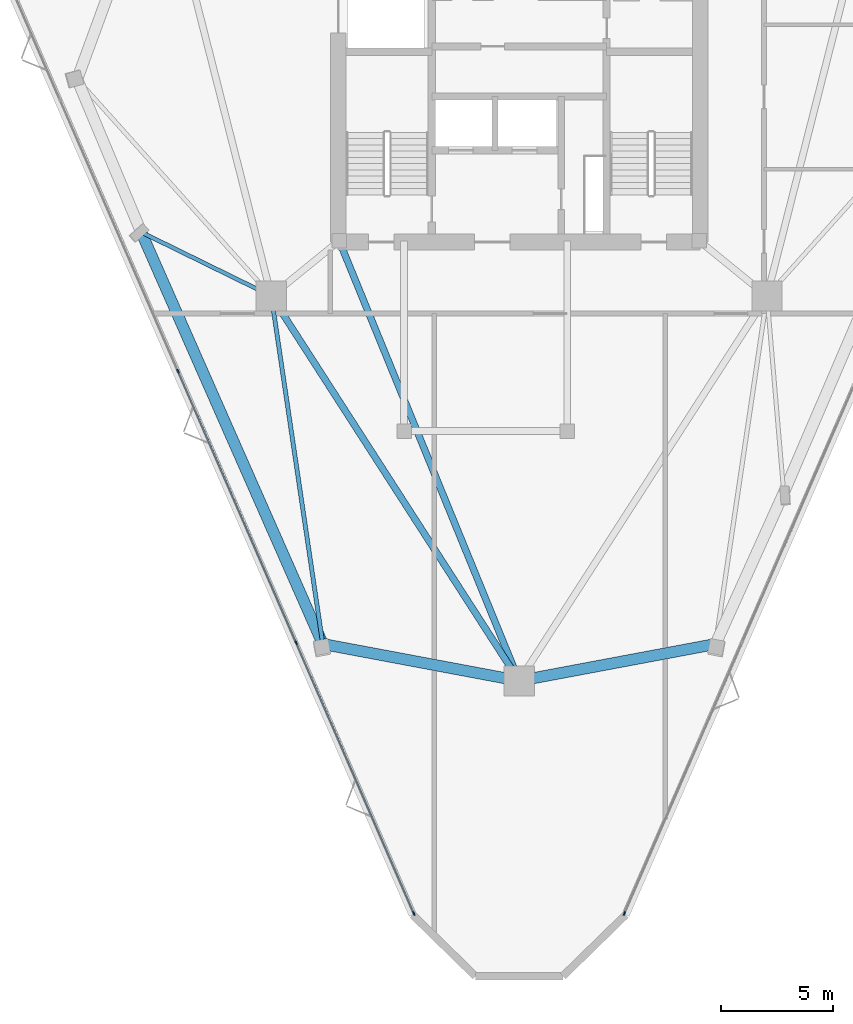
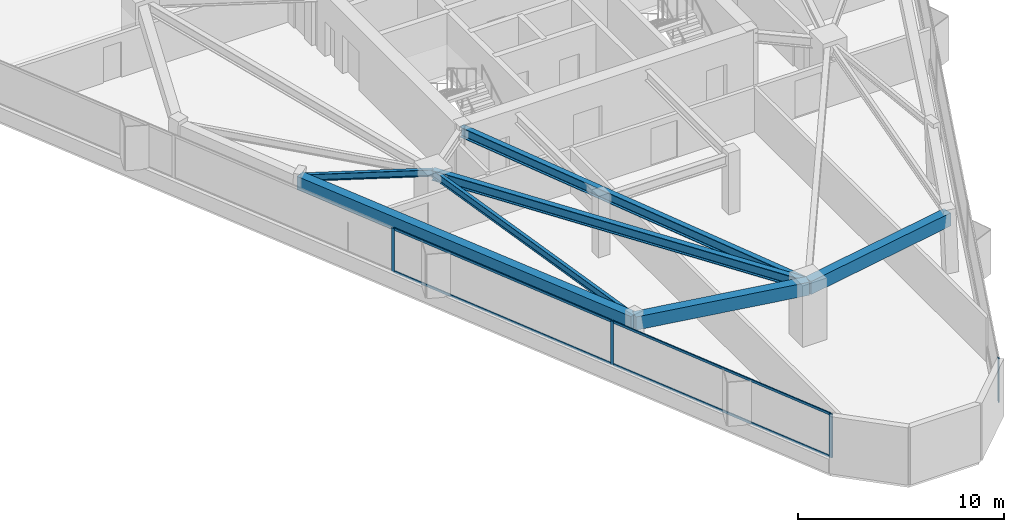
# One storey, part 2 of 13: 8 members, 7 beams, 2 elements without a shape of their own.
"""IFC4 building model written with IfcOpenShell, lengths in metres."""

from ifc_helpers import new_model, si_unit, direction, frame, origin, origin_2d, place, context, subcontext, project, spatial, rectangle, i_section, extrude, material, layer, layer_set, material_profile, profile_set, type_object, element, aggregate, save


model = new_model("IFC4")

# Units and contexts
model_context = context("Model", 3, precision=1e-05, world=origin(), true_north=direction((0.0, 1.0)))
body_context = subcontext(model_context, "Body", "Model", "MODEL_VIEW")
ifc_project = project(units=[si_unit("LENGTHUNIT", "METRE"), si_unit("AREAUNIT", "SQUARE_METRE"), si_unit("VOLUMEUNIT", "CUBIC_METRE"), si_unit("PLANEANGLEUNIT", "RADIAN"), si_unit("MASSUNIT", "GRAM", prefix="KILO")], contexts=[model_context])

# Site, building, storey
site_placement = place(None, origin())
site = spatial("IfcSite", under=ifc_project, at=site_placement, CompositionType="ELEMENT")
building_placement = place(site_placement, origin())
building = spatial("IfcBuilding", under=site, at=building_placement, Name="Talyreon Biosciences Tower", CompositionType="ELEMENT")
storey_placement = place(building_placement, frame((0.0, 0.0, 190.35009765625)))
storey = spatial("IfcBuildingStorey", under=building, at=storey_placement, Name="L50", CompositionType="ELEMENT", Elevation=190.35009765625)

# Curtain wall, members
ifc_material_1 = material(Name="Thermally broken aluminium and low-E glazing", Category="aluminium")
ifc_layer = layer(ifc_material_1, 0.179931640625)
ifc_layer_set = layer_set([ifc_layer], Name="Thermally broken aluminium and low-E glazing")
curtain_wall_type = type_object("IfcCurtainWallType", Name="CurtainWall_Zone4Optical", PredefinedType="NOTDEFINED", material=ifc_layer_set)
curtain_wall_1_placement = place(storey_placement, origin())
curtain_wall_1 = element("IfcCurtainWall", 1, at=curtain_wall_1_placement, inside=storey, type_object=curtain_wall_type, Name="L50 Unitised Curtain Wall FCW-L50-00", PredefinedType="NOTDEFINED")
ifc_material_2 = material(Name="Anodised thermally broken aluminium", Category="aluminium")
ifc_material_profile_1 = material_profile(ifc_material_2, rectangle(XDim=0.06494140625, YDim=0.179931640625, at=origin_2d()), Name="ALUM MULLION 65x180")
ifc_profile_set_1 = profile_set([ifc_material_profile_1], Name="Anodised thermally broken aluminium")
member_type_1 = type_object("IfcMemberType", Name="CWMullion_65x180", PredefinedType="MULLION", material=ifc_profile_set_1)
member_1_placement = place(storey_placement, frame((61.2919921875, 31.2587890625, 0.809814453125), z_axis=(0.0, 0.0, 1.0), x_axis=(-0.917010897502, -0.398862148946, 0.0)))
member_1 = element("IfcMember", 2, at=member_1_placement, type_object=member_type_1, Name="CW5 mullion 1", PredefinedType="MULLION", context=body_context, shape_type="SweptSolid", body=[
    extrude(rectangle(XDim=0.06494140625, YDim=0.179931640625, at=origin_2d()), origin(), (0.0, 0.0, 1.0), 2.590087890625),
])
member_2_placement = place(storey_placement, frame((56.022216796875, 43.374267578125, 0.809814453125), z_axis=(0.0, 0.0, 1.0), x_axis=(-0.917010897502, -0.398862148946, 0.0)))
member_2 = element("IfcMember", 3, at=member_2_placement, type_object=member_type_1, Name="CW5 mullion 2", PredefinedType="MULLION", context=body_context, shape_type="SweptSolid", body=[
    extrude(rectangle(XDim=0.06494140625, YDim=0.179931640625, at=origin_2d()), origin(), (0.0, 0.0, 1.0), 2.590087890625),
])
member_3_placement = place(storey_placement, frame((50.739501953125, 55.51953125, 0.809814453125), z_axis=(0.0, 0.0, 1.0), x_axis=(-0.917010897502, -0.398862148946, 0.0)))
member_3 = element("IfcMember", 4, at=member_3_placement, type_object=member_type_1, Name="CW5 mullion 3", PredefinedType="MULLION", context=body_context, shape_type="SweptSolid", body=[
    extrude(rectangle(XDim=0.06494140625, YDim=0.179931640625, at=origin_2d()), origin(), (0.0, 0.0, 1.0), 2.590087890625),
])

# Curtain wall, member
curtain_wall_2_placement = place(storey_placement, origin())
curtain_wall_2 = element("IfcCurtainWall", 5, at=curtain_wall_2_placement, inside=storey, type_object=curtain_wall_type, Name="L50 Unitised Curtain Wall FCW-L50-08", PredefinedType="NOTDEFINED")
member_4_placement = place(storey_placement, frame((70.7080078125, 31.2587890625, 0.809814453125), z_axis=(0.0, 0.0, 1.0), x_axis=(0.917010897502, -0.398862148946, 0.0)))
member_4 = element("IfcMember", 6, at=member_4_placement, type_object=member_type_1, Name="CW5 mullion 5", PredefinedType="MULLION", context=body_context, shape_type="SweptSolid", body=[
    extrude(rectangle(XDim=0.06494140625, YDim=0.179931640625, at=origin_2d()), origin(), (0.0, 0.0, 1.0), 2.590087890625),
])
aggregate(curtain_wall_2, [member_4])

# Member
ifc_material_profile_2 = material_profile(ifc_material_2, rectangle(XDim=0.06494140625, YDim=0.139892578125, at=origin_2d()), Name="ALUM TRANSOM 65x140")
ifc_profile_set_2 = profile_set([ifc_material_profile_2], Name="Anodised thermally broken aluminium")
member_type_2 = type_object("IfcMemberType", Name="CWTransom_65x140", PredefinedType="USERDEFINED", material=ifc_profile_set_2)
member_5_placement = place(storey_placement, frame((61.279052734375, 31.28857421875, 0.84228515625), z_axis=(-0.398866666561, 0.917008932512, 0.0), x_axis=(-0.917008932512, -0.398866666561, 0.0)))
member_5 = element("IfcMember", 7, at=member_5_placement, type_object=member_type_2, Name="CW5 transom 1.1", ObjectType="TRANSOM", PredefinedType="USERDEFINED", context=body_context, shape_type="SweptSolid", body=[
    extrude(rectangle(XDim=0.06494140625, YDim=0.139892578125, at=origin_2d()), origin(), (0.0, 0.0, 1.0), 13.14697265625),
])

member_6_placement = place(storey_placement, frame((61.279052734375, 31.28857421875, 3.367431640625), z_axis=(-0.398866666561, 0.917008932512, 0.0), x_axis=(-0.917008932512, -0.398866666561, 0.0)))
member_6 = element("IfcMember", 8, at=member_6_placement, type_object=member_type_2, Name="CW5 transom 1.2", ObjectType="TRANSOM", PredefinedType="USERDEFINED", context=body_context, shape_type="SweptSolid", body=[
    extrude(rectangle(XDim=0.06494140625, YDim=0.139892578125, at=origin_2d()), origin(), (0.0, 0.0, 1.0), 13.14697265625),
])

member_7_placement = place(storey_placement, frame((56.00927734375, 43.404052734375, 0.84228515625), z_axis=(-0.398865642927, 0.917009377756, 0.0), x_axis=(-0.917009377756, -0.398865642927, 0.0)))
member_7 = element("IfcMember", 9, at=member_7_placement, type_object=member_type_2, Name="CW5 transom 2.1", ObjectType="TRANSOM", PredefinedType="USERDEFINED", context=body_context, shape_type="SweptSolid", body=[
    extrude(rectangle(XDim=0.06494140625, YDim=0.139892578125, at=origin_2d()), origin(), (0.0, 0.0, 1.0), 13.179443359375),
])

member_8_placement = place(storey_placement, frame((56.00927734375, 43.404052734375, 3.367431640625), z_axis=(-0.398865642927, 0.917009377756, 0.0), x_axis=(-0.917009377756, -0.398865642927, 0.0)))
member_8 = element("IfcMember", 10, at=member_8_placement, type_object=member_type_2, Name="CW5 transom 2.2", ObjectType="TRANSOM", PredefinedType="USERDEFINED", context=body_context, shape_type="SweptSolid", body=[
    extrude(rectangle(XDim=0.06494140625, YDim=0.139892578125, at=origin_2d()), origin(), (0.0, 0.0, 1.0), 13.179443359375),
])

aggregate(curtain_wall_1, [member_1, member_2, member_3, member_5, member_6, member_7, member_8])

# Beams
ifc_material_3 = material(Name="Precast concrete C45/55", Category="concrete")
ifc_material_profile_3 = material_profile(ifc_material_3, rectangle(XDim=0.5, YDim=0.780029296875, at=origin_2d()), Name="RCB 500x780")
ifc_profile_set_3 = profile_set([ifc_material_profile_3], Name="Precast concrete C45/55")
beam_type_1 = type_object("IfcBeamType", Name="ExpressedSpandrel_500x780", PredefinedType="SPANDREL", material=ifc_profile_set_3)
beam_1_placement = place(storey_placement, frame((66.0, 41.6669921875, 3.010009765625), z_axis=(0.982853320452, 0.184389127869, 0.0), x_axis=(-0.184389127869, 0.982853320452, 0.0)))
element("IfcBeam", 11, at=beam_1_placement, inside=storey, type_object=beam_type_1, Name="L50 Expressed Horizontal Concrete Spandrel 01", PredefinedType="SPANDREL", context=body_context, shape_type="SweptSolid", body=[
    extrude(rectangle(XDim=0.5, YDim=0.780029296875, at=origin_2d()), origin(), (0.0, 0.0, 1.0), 8.938720703125),
])
beam_2_placement = place(storey_placement, frame((49.09326171875, 61.736083984375, 3.010009765625), z_axis=(0.403410295716, -0.915019198329, 0.0), x_axis=(0.915019198329, 0.403410295716, 0.0)))
element("IfcBeam", 12, at=beam_2_placement, inside=storey, type_object=beam_type_1, Name="L50 Expressed Horizontal Concrete Spandrel 11", PredefinedType="SPANDREL", context=body_context, shape_type="SweptSolid", body=[
    extrude(rectangle(XDim=0.5, YDim=0.780029296875, at=origin_2d()), origin(), (0.0, 0.0, 1.0), 20.131591796875),
])
beam_3_placement = place(storey_placement, frame((57.214599609375, 43.315185546875, 3.010009765625), z_axis=(0.982853320452, -0.184389127869, 0.0), x_axis=(0.184389127869, 0.982853320452, 0.0)))
element("IfcBeam", 13, at=beam_3_placement, inside=storey, type_object=beam_type_1, Name="L50 Expressed Horizontal Concrete Spandrel 12", PredefinedType="SPANDREL", context=body_context, shape_type="SweptSolid", body=[
    extrude(rectangle(XDim=0.5, YDim=0.780029296875, at=origin_2d()), origin(), (0.0, 0.0, 1.0), 8.938720703125),
])
ifc_material_4 = material(Name="Steel SM355", Category="steel")
ifc_material_profile_4 = material_profile(ifc_material_4, i_section(OverallWidth=0.300048828125, OverallDepth=0.60009765625, WebThickness=0.015380859375, FlangeThickness=0.030029296875, FilletRadius=0.027099609375, at=origin_2d()), Name="HE600B")
ifc_profile_set_4 = profile_set([ifc_material_profile_4], Name="Steel SM355")
beam_type_2 = type_object("IfcBeamType", Name="SteelBeam_HE600B", PredefinedType="BEAM", material=ifc_profile_set_4)
beam_4_placement = place(storey_placement, frame((54.913818359375, 58.88037109375, 3.099853515625), z_axis=(0.541463723609, -0.840724114092, 0.0), x_axis=(0.840724114092, 0.541463723609, 0.0)))
element("IfcBeam", 14, at=beam_4_placement, inside=storey, type_object=beam_type_2, Name="L50 Mega-Ring Girder 6", PredefinedType="BEAM", context=body_context, shape_type="SweptSolid", body=[
    extrude(i_section(OverallWidth=0.300048828125, OverallDepth=0.60009765625, WebThickness=0.015380859375, FlangeThickness=0.030029296875, FilletRadius=0.027099609375, at=origin_2d()), origin(), (0.0, 0.0, 1.0), 20.474365234375),
])
beam_5_placement = place(storey_placement, frame((57.949951171875, 61.35009765625, 3.099853515625), z_axis=(0.378547014545, -0.925582064314, 0.0), x_axis=(0.925582064314, 0.378547014545, 0.0)))
element("IfcBeam", 15, at=beam_5_placement, inside=storey, type_object=beam_type_2, Name="L50 Radial Primary Girder 1", PredefinedType="BEAM", context=body_context, shape_type="SweptSolid", body=[
    extrude(i_section(OverallWidth=0.300048828125, OverallDepth=0.60009765625, WebThickness=0.015380859375, FlangeThickness=0.030029296875, FilletRadius=0.027099609375, at=origin_2d()), origin(), (0.0, 0.0, 1.0), 21.265625),
])
ifc_material_profile_5 = material_profile(ifc_material_4, i_section(OverallWidth=0.179931640625, OverallDepth=0.39990234375, WebThickness=0.008544921875, FlangeThickness=0.013427734375, FilletRadius=0.02099609375, at=origin_2d()), Name="IPE400")
ifc_profile_set_5 = profile_set([ifc_material_profile_5], Name="Steel SM355")
beam_type_3 = type_object("IfcBeamType", Name="SteelJoist_IPE400", PredefinedType="JOIST", material=ifc_profile_set_5)
beam_6_placement = place(storey_placement, frame((54.913818359375, 58.88037109375, 3.199951171875), z_axis=(-0.89776833877, 0.440467944239, 0.0), x_axis=(-0.440467944239, -0.89776833877, 0.0)))
element("IfcBeam", 16, at=beam_6_placement, inside=storey, type_object=beam_type_3, Name="L50 Radial Composite Floor Joist PL-SW", PredefinedType="JOIST", context=body_context, shape_type="SweptSolid", body=[
    extrude(i_section(OverallWidth=0.179931640625, OverallDepth=0.39990234375, WebThickness=0.008544921875, FlangeThickness=0.013427734375, FilletRadius=0.02099609375, at=origin_2d()), origin(), (0.0, 0.0, 1.0), 6.4833984375),
])
ifc_material_profile_6 = material_profile(ifc_material_4, i_section(OverallWidth=0.18994140625, OverallDepth=0.449951171875, WebThickness=0.009521484375, FlangeThickness=0.0146484375, FilletRadius=0.02099609375, at=origin_2d()), Name="IPE450")
ifc_profile_set_6 = profile_set([ifc_material_profile_6], Name="Steel SM355")
beam_type_4 = type_object("IfcBeamType", Name="SteelJoist_IPE450", PredefinedType="JOIST", material=ifc_profile_set_6)
beam_7_placement = place(storey_placement, frame((54.913818359375, 58.88037109375, 3.1748046875), z_axis=(0.146226994276, -0.989251063252, 0.0), x_axis=(0.989251063252, 0.146226994276, 0.0)))
element("IfcBeam", 17, at=beam_7_placement, inside=storey, type_object=beam_type_4, Name="L50 Radial Composite Floor Joist PC-SW2", PredefinedType="JOIST", context=body_context, shape_type="SweptSolid", body=[
    extrude(i_section(OverallWidth=0.18994140625, OverallDepth=0.449951171875, WebThickness=0.009521484375, FlangeThickness=0.0146484375, FilletRadius=0.02099609375, at=origin_2d()), origin(), (0.0, 0.0, 1.0), 15.734375),
])

save(model, "model.ifc")
